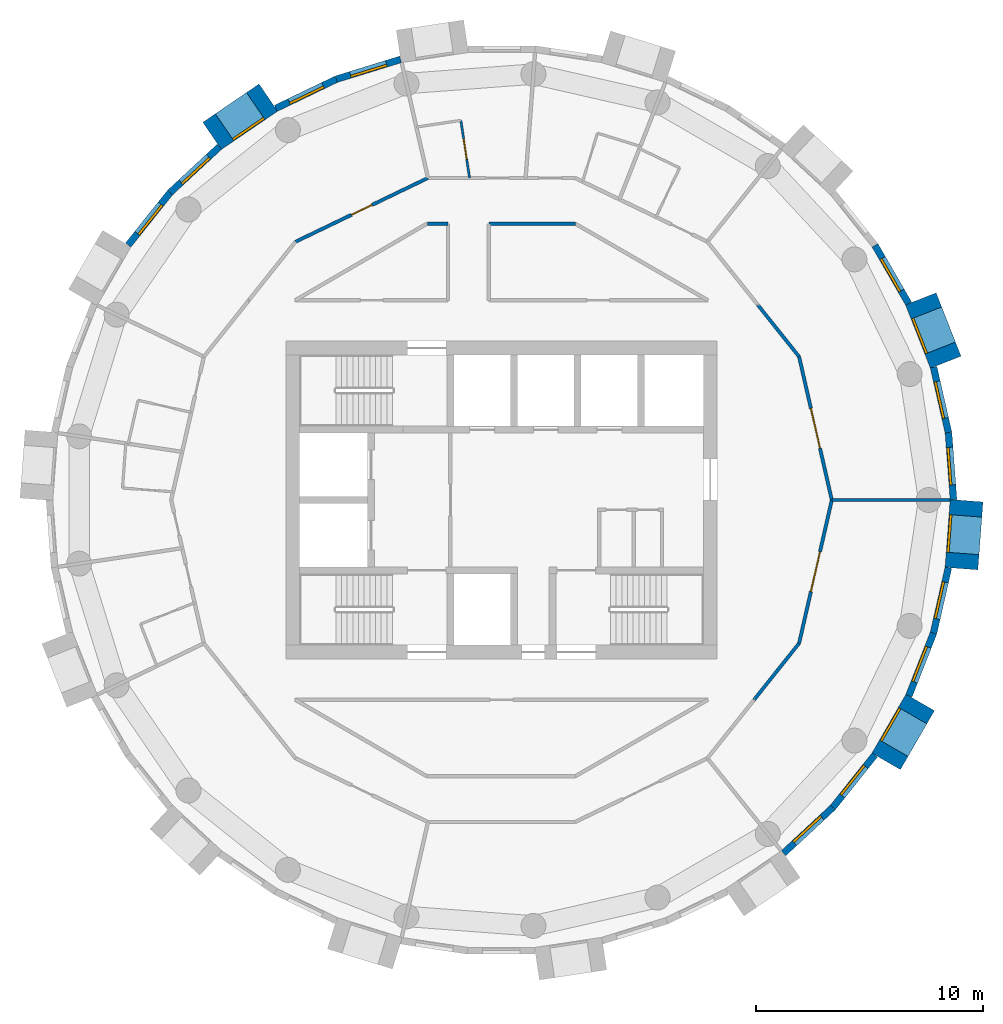
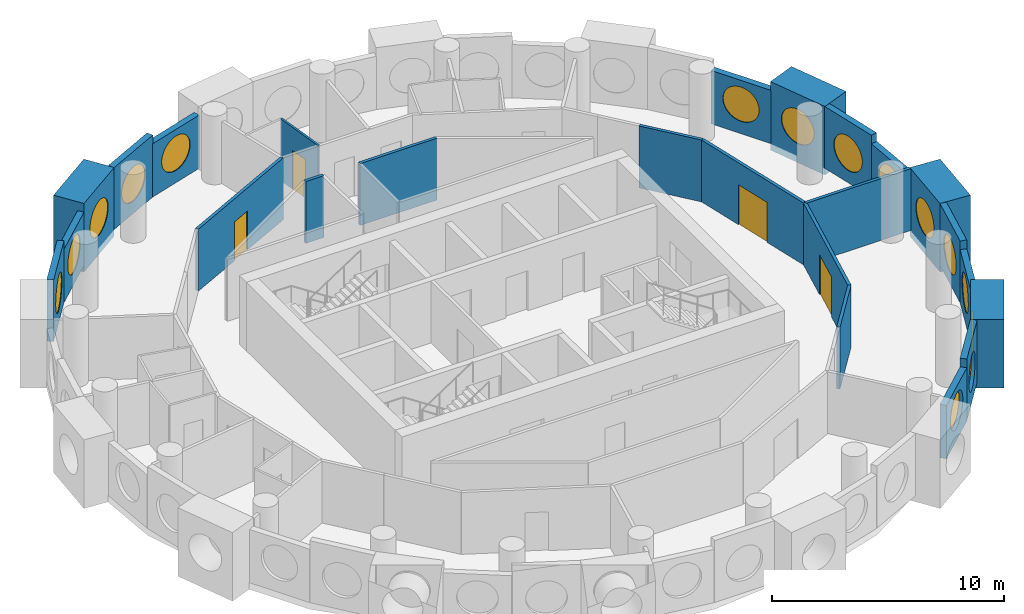
# One storey, part 9 of 12: 24 walls, 15 windows, 4 doors, 19 openings.
"""IFC4 building model written with IfcOpenShell, lengths in metres."""

from ifc_helpers import new_model, si_unit, direction, frame, frame_2d, origin, origin_2d, place, context, subcontext, project, spatial, rectangle, circle, extrude, material, layer, layer_set, type_object, element, fill, save


model = new_model("IFC4")

# Units and contexts
model_context = context("Model", 3, precision=1e-05, world=origin(), true_north=direction((0.0, 1.0)))
body_context = subcontext(model_context, "Body", "Model", "MODEL_VIEW")
ifc_project = project(units=[si_unit("LENGTHUNIT", "METRE"), si_unit("AREAUNIT", "SQUARE_METRE"), si_unit("VOLUMEUNIT", "CUBIC_METRE"), si_unit("PLANEANGLEUNIT", "RADIAN"), si_unit("MASSUNIT", "GRAM", prefix="KILO")], contexts=[model_context])

# Site, building, storey
site_placement = place(None, origin())
site = spatial("IfcSite", under=ifc_project, at=site_placement, CompositionType="ELEMENT")
building_placement = place(site_placement, origin())
building = spatial("IfcBuilding", under=site, at=building_placement, Name="Tracery Tower", CompositionType="ELEMENT")
storey_placement = place(building_placement, frame((0.0, 0.0, 249.0)))
storey = spatial("IfcBuildingStorey", under=building, at=storey_placement, Name="L64", CompositionType="ELEMENT", Elevation=249.0)

# Wall, opening, window
ifc_material_1 = material(Name="Precast concrete C50/60", Category="concrete")
ifc_layer_1 = layer(ifc_material_1, 1.449951171875)
ifc_layer_set_1 = layer_set([ifc_layer_1], Name="Deep-set bay unit 3000 x 3600, slab edge 350")
wall_type_1 = type_object("IfcWallType", Name="Deep-set bay unit 3000 x 3600, slab edge 350", PredefinedType="ELEMENTEDWALL", material=ifc_layer_set_1)
wall_1_placement = place(storey_placement, frame((19.576171875, 6.071533203125, -0.35009765625), z_axis=(0.0, 0.0, 1.0), x_axis=(-0.36537792632, 0.93085926485, 0.0)))
wall_1 = element("IfcWall", 1, at=wall_1_placement, inside=storey, type_object=wall_type_1, Name="Deep-set bay unit 3 at L64", PredefinedType="ELEMENTEDWALL", context=body_context, shape_type="SweptSolid", body=[
    extrude(rectangle(XDim=3.000244140625, YDim=1.449951171875, at=frame_2d((1.5, 0.0))), origin(), (0.0, 0.0, 1.0), 3.60009765625),
])
opening_1_placement = place(wall_1_placement, frame((1.5, 0.0, 1.89990234375)))
opening_1 = element("IfcOpeningElement", 2, at=opening_1_placement, cuts=wall_1, Name="Opening WN1", PredefinedType="OPENING", context=body_context, shape_type="SweptSolid", body=[
    extrude(circle(Radius=0.9000244140625, at=origin_2d()), frame((0.0, 0.73486328125, 0.0), z_axis=(0.0, -1.0, 0.0), x_axis=(1.0, 0.0, 0.0)), (0.0, 0.0, 1.0), 1.469970703125),
])
ifc_material_2 = material(Name="Aluminium frame with tinted double glazing", Category="aluminium")
window_type = type_object("IfcWindowType", Name="Round window 1800", PartitioningType="SINGLE_PANEL", PredefinedType="WINDOW", material=ifc_material_2)
window_1_placement = place(opening_1_placement, origin())
window_1 = element("IfcWindow", 3, at=window_1_placement, inside=storey, type_object=window_type, Name="Round window 3 at L64", OverallHeight=1.800048828125, OverallWidth=1.800048828125, PartitioningType="SINGLE_PANEL", PredefinedType="WINDOW", context=body_context, shape_type="SweptSolid", body=[
    extrude(circle(Radius=0.9000244140625, at=origin_2d()), frame((0.0, 0.69482421875, 0.0), z_axis=(0.0, -1.0, 0.0), x_axis=(1.0, 0.0, 0.0)), (0.0, 0.0, 1.0), 0.10009765625),
])
fill(opening_1, window_1)

wall_2_placement = place(storey_placement, frame((-10.275390625, 17.734130859375, -0.35009765625), z_axis=(0.0, 0.0, 1.0), x_axis=(-0.826246281157, -0.563309047392, 0.0)))
wall_2 = element("IfcWall", 4, at=wall_2_placement, inside=storey, type_object=wall_type_1, Name="Deep-set bay unit 15 at L64", PredefinedType="ELEMENTEDWALL", context=body_context, shape_type="SweptSolid", body=[
    extrude(rectangle(XDim=3.0, YDim=1.449951171875, at=frame_2d((1.5, 0.0))), origin(), (0.0, 0.0, 1.0), 3.60009765625),
])
opening_2_placement = place(wall_2_placement, frame((1.5, 0.0, 1.89990234375)))
opening_2 = element("IfcOpeningElement", 5, at=opening_2_placement, cuts=wall_2, Name="Opening WN1", PredefinedType="OPENING", context=body_context, shape_type="SweptSolid", body=[
    extrude(circle(Radius=0.9000244140625, at=origin_2d()), frame((0.0, 0.73486328125, 0.0), z_axis=(0.0, -1.0, 0.0), x_axis=(1.0, 0.0, 0.0)), (0.0, 0.0, 1.0), 1.469970703125),
])
window_2_placement = place(opening_2_placement, origin())
window_2 = element("IfcWindow", 6, at=window_2_placement, inside=storey, type_object=window_type, Name="Round window 15 at L64", OverallHeight=1.800048828125, OverallWidth=1.800048828125, PartitioningType="SINGLE_PANEL", PredefinedType="WINDOW", context=body_context, shape_type="SweptSolid", body=[
    extrude(circle(Radius=0.9000244140625, at=origin_2d()), frame((0.0, 0.69482421875, 0.0), z_axis=(0.0, -1.0, 0.0), x_axis=(1.0, 0.0, 0.0)), (0.0, 0.0, 1.0), 0.10009765625),
])
fill(opening_2, window_2)

wall_3_placement = place(storey_placement, frame((16.952392578125, -11.51953125, -0.35009765625), z_axis=(0.0, 0.0, 1.0), x_axis=(0.499990139034, 0.866031096941, 0.0)))
wall_3 = element("IfcWall", 7, at=wall_3_placement, inside=storey, type_object=wall_type_1, Name="Deep-set bay unit 39 at L64", PredefinedType="ELEMENTEDWALL", context=body_context, shape_type="SweptSolid", body=[
    extrude(rectangle(XDim=3.0, YDim=1.449951171875, at=frame_2d((1.5, 0.0))), origin(), (0.0, 0.0, 1.0), 3.60009765625),
])
opening_3_placement = place(wall_3_placement, frame((1.5, 0.0, 1.89990234375)))
opening_3 = element("IfcOpeningElement", 8, at=opening_3_placement, cuts=wall_3, Name="Opening WN1", PredefinedType="OPENING", context=body_context, shape_type="SweptSolid", body=[
    extrude(circle(Radius=0.9000244140625, at=origin_2d()), frame((0.0, 0.73486328125, 0.0), z_axis=(0.0, -1.0, 0.0), x_axis=(1.0, 0.0, 0.0)), (0.0, 0.0, 1.0), 1.469970703125),
])
window_3_placement = place(opening_3_placement, origin())
window_3 = element("IfcWindow", 9, at=window_3_placement, inside=storey, type_object=window_type, Name="Round window 39 at L64", OverallHeight=1.800048828125, OverallWidth=1.800048828125, PartitioningType="SINGLE_PANEL", PredefinedType="WINDOW", context=body_context, shape_type="SweptSolid", body=[
    extrude(circle(Radius=0.9000244140625, at=origin_2d()), frame((0.0, 0.69482421875, 0.0), z_axis=(0.0, -1.0, 0.0), x_axis=(1.0, 0.0, 0.0)), (0.0, 0.0, 1.0), 0.10009765625),
])
fill(opening_3, window_3)

wall_4_placement = place(storey_placement, frame((20.271728515625, -3.0234375, -0.35009765625), z_axis=(0.0, 0.0, 1.0), x_axis=(0.074785902127, 0.997199613339, 0.0)))
wall_4 = element("IfcWall", 10, at=wall_4_placement, inside=storey, type_object=wall_type_1, Name="Deep-set bay unit 42 at L64", PredefinedType="ELEMENTEDWALL", context=body_context, shape_type="SweptSolid", body=[
    extrude(rectangle(XDim=3.0, YDim=1.449951171875, at=frame_2d((1.5, 0.0))), origin(), (0.0, 0.0, 1.0), 3.60009765625),
])
opening_4_placement = place(wall_4_placement, frame((1.5, 0.0, 1.89990234375)))
opening_4 = element("IfcOpeningElement", 11, at=opening_4_placement, cuts=wall_4, Name="Opening WN1", PredefinedType="OPENING", context=body_context, shape_type="SweptSolid", body=[
    extrude(circle(Radius=0.9000244140625, at=origin_2d()), frame((0.0, 0.73486328125, 0.0), z_axis=(0.0, -1.0, 0.0), x_axis=(1.0, 0.0, 0.0)), (0.0, 0.0, 1.0), 1.469970703125),
])
window_4_placement = place(opening_4_placement, origin())
window_4 = element("IfcWindow", 12, at=window_4_placement, inside=storey, type_object=window_type, Name="Round window 42 at L64", OverallHeight=1.800048828125, OverallWidth=1.800048828125, PartitioningType="SINGLE_PANEL", PredefinedType="WINDOW", context=body_context, shape_type="SweptSolid", body=[
    extrude(circle(Radius=0.9000244140625, at=origin_2d()), frame((0.0, 0.69482421875, 0.0), z_axis=(0.0, -1.0, 0.0), x_axis=(1.0, 0.0, 0.0)), (0.0, 0.0, 1.0), 0.10009765625),
])
fill(opening_4, window_4)

ifc_material_3 = material(Name="Precast concrete C50/60", Category="concrete")
ifc_layer_2 = layer(ifc_material_3, 0.300048828125)
ifc_layer_set_2 = layer_set([ifc_layer_2], Name="Facade panel 3000 x 2800")
wall_type_2 = type_object("IfcWallType", Name="Facade panel 3000 x 2800", PredefinedType="SOLIDWALL", material=ifc_layer_set_2)
wall_5_placement = place(storey_placement, frame((19.920654296875, 0.01513671875, 0.0), z_axis=(0.0, 0.0, 1.0), x_axis=(-0.07474897196, 0.997202382263, 0.0)))
wall_5 = element("IfcWall", 13, at=wall_5_placement, inside=storey, type_object=wall_type_2, Name="Facade panel 1 at L64", PredefinedType="SOLIDWALL", context=body_context, shape_type="SweptSolid", body=[
    extrude(rectangle(XDim=2.96240234375, YDim=0.300048828125, at=frame_2d((1.481201171875, 0.0))), origin(), (0.0, 0.0, 1.0), 2.800048828125),
])
opening_5_placement = place(wall_5_placement, frame((1.48095703125, 0.0, 1.5498046875)))
opening_5 = element("IfcOpeningElement", 14, at=opening_5_placement, cuts=wall_5, Name="Opening WN1", PredefinedType="OPENING", context=body_context, shape_type="SweptSolid", body=[
    extrude(circle(Radius=0.9000244140625, at=origin_2d()), frame((0.0, 0.159912109375, 0.0), z_axis=(0.0, -1.0, 0.0), x_axis=(1.0, 0.0, 0.0)), (0.0, 0.0, 1.0), 0.320068359375),
])
window_5_placement = place(opening_5_placement, origin())
window_5 = element("IfcWindow", 15, at=window_5_placement, inside=storey, type_object=window_type, Name="Round window 1 at L64", OverallHeight=1.800048828125, OverallWidth=1.800048828125, PartitioningType="SINGLE_PANEL", PredefinedType="WINDOW", context=body_context, shape_type="SweptSolid", body=[
    extrude(circle(Radius=0.9000244140625, at=origin_2d()), frame((0.0, 0.1201171875, 0.0), z_axis=(0.0, -1.0, 0.0), x_axis=(1.0, 0.0, 0.0)), (0.0, 0.0, 1.0), 0.10009765625),
])
fill(opening_5, window_5)

wall_6_placement = place(storey_placement, frame((17.941162109375, 8.656982421875, 0.0), z_axis=(0.0, 0.0, 1.0), x_axis=(-0.499950756475, 0.86605383268, 0.0)))
wall_6 = element("IfcWall", 16, at=wall_6_placement, inside=storey, type_object=wall_type_2, Name="Facade panel 4 at L64", PredefinedType="SOLIDWALL", context=body_context, shape_type="SweptSolid", body=[
    extrude(rectangle(XDim=2.962158203125, YDim=0.300048828125, at=frame_2d((1.48095703125, 0.0))), origin(), (0.0, 0.0, 1.0), 2.800048828125),
])
opening_6_placement = place(wall_6_placement, frame((1.48095703125, 0.0, 1.5498046875)))
opening_6 = element("IfcOpeningElement", 17, at=opening_6_placement, cuts=wall_6, Name="Opening WN1", PredefinedType="OPENING", context=body_context, shape_type="SweptSolid", body=[
    extrude(circle(Radius=0.9000244140625, at=origin_2d()), frame((0.0, 0.159912109375, 0.0), z_axis=(0.0, -1.0, 0.0), x_axis=(1.0, 0.0, 0.0)), (0.0, 0.0, 1.0), 0.320068359375),
])
window_6_placement = place(opening_6_placement, origin())
window_6 = element("IfcWindow", 18, at=window_6_placement, inside=storey, type_object=window_type, Name="Round window 4 at L64", OverallHeight=1.800048828125, OverallWidth=1.800048828125, PartitioningType="SINGLE_PANEL", PredefinedType="WINDOW", context=body_context, shape_type="SweptSolid", body=[
    extrude(circle(Radius=0.9000244140625, at=origin_2d()), frame((0.0, 0.1201171875, 0.0), z_axis=(0.0, -1.0, 0.0), x_axis=(1.0, 0.0, 0.0)), (0.0, 0.0, 1.0), 0.10009765625),
])
fill(opening_6, window_6)

wall_7_placement = place(storey_placement, frame((-4.447509765625, 19.417724609375, 0.0), z_axis=(0.0, 0.0, 1.0), x_axis=(-0.95558635705, -0.294711238707, 0.0)))
wall_7 = element("IfcWall", 19, at=wall_7_placement, inside=storey, type_object=wall_type_2, Name="Facade panel 13 at L64", PredefinedType="SOLIDWALL", context=body_context, shape_type="SweptSolid", body=[
    extrude(rectangle(XDim=2.96240234375, YDim=0.300048828125, at=frame_2d((1.481201171875, 0.0))), origin(), (0.0, 0.0, 1.0), 2.800048828125),
])
opening_7_placement = place(wall_7_placement, frame((1.48095703125, 0.0, 1.5498046875)))
opening_7 = element("IfcOpeningElement", 20, at=opening_7_placement, cuts=wall_7, Name="Opening WN1", PredefinedType="OPENING", context=body_context, shape_type="SweptSolid", body=[
    extrude(circle(Radius=0.9000244140625, at=origin_2d()), frame((0.0, 0.159912109375, 0.0), z_axis=(0.0, -1.0, 0.0), x_axis=(1.0, 0.0, 0.0)), (0.0, 0.0, 1.0), 0.320068359375),
])
window_7_placement = place(opening_7_placement, origin())
window_7 = element("IfcWindow", 21, at=window_7_placement, inside=storey, type_object=window_type, Name="Round window 13 at L64", OverallHeight=1.800048828125, OverallWidth=1.800048828125, PartitioningType="SINGLE_PANEL", PredefinedType="WINDOW", context=body_context, shape_type="SweptSolid", body=[
    extrude(circle(Radius=0.9000244140625, at=origin_2d()), frame((0.0, 0.1201171875, 0.0), z_axis=(0.0, -1.0, 0.0), x_axis=(1.0, 0.0, 0.0)), (0.0, 0.0, 1.0), 0.10009765625),
])
fill(opening_7, window_7)

wall_8_placement = place(storey_placement, frame((-12.43212890625, 15.565185546875, 0.0), z_axis=(0.0, 0.0, 1.0), x_axis=(-0.733066412643, -0.680157066165, 0.0)))
wall_8 = element("IfcWall", 22, at=wall_8_placement, inside=storey, type_object=wall_type_2, Name="Facade panel 16 at L64", PredefinedType="SOLIDWALL", context=body_context, shape_type="SweptSolid", body=[
    extrude(rectangle(XDim=2.96240234375, YDim=0.300048828125, at=frame_2d((1.481201171875, 0.0))), origin(), (0.0, 0.0, 1.0), 2.800048828125),
])
opening_8_placement = place(wall_8_placement, frame((1.48095703125, 0.0, 1.5498046875)))
opening_8 = element("IfcOpeningElement", 23, at=opening_8_placement, cuts=wall_8, Name="Opening WN1", PredefinedType="OPENING", context=body_context, shape_type="SweptSolid", body=[
    extrude(circle(Radius=0.9000244140625, at=origin_2d()), frame((0.0, 0.159912109375, 0.0), z_axis=(0.0, -1.0, 0.0), x_axis=(1.0, 0.0, 0.0)), (0.0, 0.0, 1.0), 0.320068359375),
])
window_8_placement = place(opening_8_placement, origin())
window_8 = element("IfcWindow", 24, at=window_8_placement, inside=storey, type_object=window_type, Name="Round window 16 at L64", OverallHeight=1.800048828125, OverallWidth=1.800048828125, PartitioningType="SINGLE_PANEL", PredefinedType="WINDOW", context=body_context, shape_type="SweptSolid", body=[
    extrude(circle(Radius=0.9000244140625, at=origin_2d()), frame((0.0, 0.1201171875, 0.0), z_axis=(0.0, -1.0, 0.0), x_axis=(1.0, 0.0, 0.0)), (0.0, 0.0, 1.0), 0.10009765625),
])
fill(opening_8, window_8)

wall_9_placement = place(storey_placement, frame((12.43212890625, -15.565185546875, 0.0), z_axis=(0.0, 0.0, 1.0), x_axis=(0.733066412643, 0.680157066165, 0.0)))
wall_9 = element("IfcWall", 25, at=wall_9_placement, inside=storey, type_object=wall_type_2, Name="Facade panel 37 at L64", PredefinedType="SOLIDWALL", context=body_context, shape_type="SweptSolid", body=[
    extrude(rectangle(XDim=2.96240234375, YDim=0.300048828125, at=frame_2d((1.481201171875, 0.0))), origin(), (0.0, 0.0, 1.0), 2.800048828125),
])
opening_9_placement = place(wall_9_placement, frame((1.48095703125, 0.0, 1.5498046875)))
opening_9 = element("IfcOpeningElement", 26, at=opening_9_placement, cuts=wall_9, Name="Opening WN1", PredefinedType="OPENING", context=body_context, shape_type="SweptSolid", body=[
    extrude(circle(Radius=0.9000244140625, at=origin_2d()), frame((0.0, 0.159912109375, 0.0), z_axis=(0.0, -1.0, 0.0), x_axis=(1.0, 0.0, 0.0)), (0.0, 0.0, 1.0), 0.320068359375),
])
window_9_placement = place(opening_9_placement, origin())
window_9 = element("IfcWindow", 27, at=window_9_placement, inside=storey, type_object=window_type, Name="Round window 37 at L64", OverallHeight=1.800048828125, OverallWidth=1.800048828125, PartitioningType="SINGLE_PANEL", PredefinedType="WINDOW", context=body_context, shape_type="SweptSolid", body=[
    extrude(circle(Radius=0.9000244140625, at=origin_2d()), frame((0.0, 0.1201171875, 0.0), z_axis=(0.0, -1.0, 0.0), x_axis=(1.0, 0.0, 0.0)), (0.0, 0.0, 1.0), 0.10009765625),
])
fill(opening_9, window_9)

wall_10_placement = place(storey_placement, frame((17.95458984375, -8.62939453125, 0.0), z_axis=(0.0, 0.0, 1.0), x_axis=(0.36530043032, 0.930889679612, 0.0)))
wall_10 = element("IfcWall", 28, at=wall_10_placement, inside=storey, type_object=wall_type_2, Name="Facade panel 40 at L64", PredefinedType="SOLIDWALL", context=body_context, shape_type="SweptSolid", body=[
    extrude(rectangle(XDim=2.9619140625, YDim=0.300048828125, at=frame_2d((1.48095703125, 0.0))), origin(), (0.0, 0.0, 1.0), 2.800048828125),
])
opening_10_placement = place(wall_10_placement, frame((1.48095703125, 0.0, 1.5498046875)))
opening_10 = element("IfcOpeningElement", 29, at=opening_10_placement, cuts=wall_10, Name="Opening WN1", PredefinedType="OPENING", context=body_context, shape_type="SweptSolid", body=[
    extrude(circle(Radius=0.9000244140625, at=origin_2d()), frame((0.0, 0.159912109375, 0.0), z_axis=(0.0, -1.0, 0.0), x_axis=(1.0, 0.0, 0.0)), (0.0, 0.0, 1.0), 0.320068359375),
])
window_10_placement = place(opening_10_placement, origin())
window_10 = element("IfcWindow", 30, at=window_10_placement, inside=storey, type_object=window_type, Name="Round window 40 at L64", OverallHeight=1.800048828125, OverallWidth=1.800048828125, PartitioningType="SINGLE_PANEL", PredefinedType="WINDOW", context=body_context, shape_type="SweptSolid", body=[
    extrude(circle(Radius=0.9000244140625, at=origin_2d()), frame((0.0, 0.1201171875, 0.0), z_axis=(0.0, -1.0, 0.0), x_axis=(1.0, 0.0, 0.0)), (0.0, 0.0, 1.0), 0.10009765625),
])
fill(opening_10, window_10)

ifc_material_4 = material(Name="Precast concrete C50/60", Category="concrete")
ifc_layer_3 = layer(ifc_material_4, 0.300048828125)
ifc_layer_set_3 = layer_set([ifc_layer_3], Name="Facade panel 3000 x 3250")
wall_type_3 = type_object("IfcWallType", Name="Facade panel 3000 x 3250", PredefinedType="SOLIDWALL", material=ifc_layer_set_3)
wall_11_placement = place(storey_placement, frame((19.69921875, 2.96923828125, 0.0), z_axis=(0.0, 0.0, 1.0), x_axis=(-0.222529389789, 0.974925982155, 0.0)))
wall_11 = element("IfcWall", 31, at=wall_11_placement, inside=storey, type_object=wall_type_3, Name="Facade panel 2 at L64", PredefinedType="SOLIDWALL", context=body_context, shape_type="SweptSolid", body=[
    extrude(rectangle(XDim=2.962158203125, YDim=0.300048828125, at=frame_2d((1.48095703125, 0.0))), origin(), (0.0, 0.0, 1.0), 3.25),
])
opening_11_placement = place(wall_11_placement, frame((1.48095703125, 0.0, 1.5498046875)))
opening_11 = element("IfcOpeningElement", 32, at=opening_11_placement, cuts=wall_11, Name="Opening WN1", PredefinedType="OPENING", context=body_context, shape_type="SweptSolid", body=[
    extrude(circle(Radius=0.9000244140625, at=origin_2d()), frame((0.0, 0.159912109375, 0.0), z_axis=(0.0, -1.0, 0.0), x_axis=(1.0, 0.0, 0.0)), (0.0, 0.0, 1.0), 0.320068359375),
])
window_11_placement = place(opening_11_placement, origin())
window_11 = element("IfcWindow", 33, at=window_11_placement, inside=storey, type_object=window_type, Name="Round window 2 at L64", OverallHeight=1.800048828125, OverallWidth=1.800048828125, PartitioningType="SINGLE_PANEL", PredefinedType="WINDOW", context=body_context, shape_type="SweptSolid", body=[
    extrude(circle(Radius=0.9000244140625, at=origin_2d()), frame((0.0, 0.1201171875, 0.0), z_axis=(0.0, -1.0, 0.0), x_axis=(1.0, 0.0, 0.0)), (0.0, 0.0, 1.0), 0.10009765625),
])
fill(opening_11, window_11)

wall_12_placement = place(storey_placement, frame((-7.2783203125, 18.544677734375, 0.0), z_axis=(0.0, 0.0, 1.0), x_axis=(-0.900939615635, -0.433944476838, 0.0)))
wall_12 = element("IfcWall", 34, at=wall_12_placement, inside=storey, type_object=wall_type_3, Name="Facade panel 14 at L64", PredefinedType="SOLIDWALL", context=body_context, shape_type="SweptSolid", body=[
    extrude(rectangle(XDim=2.962158203125, YDim=0.300048828125, at=frame_2d((1.48095703125, 0.0))), origin(), (0.0, 0.0, 1.0), 3.25),
])
opening_12_placement = place(wall_12_placement, frame((1.48095703125, 0.0, 1.5498046875)))
opening_12 = element("IfcOpeningElement", 35, at=opening_12_placement, cuts=wall_12, Name="Opening WN1", PredefinedType="OPENING", context=body_context, shape_type="SweptSolid", body=[
    extrude(circle(Radius=0.9000244140625, at=origin_2d()), frame((0.0, 0.159912109375, 0.0), z_axis=(0.0, -1.0, 0.0), x_axis=(1.0, 0.0, 0.0)), (0.0, 0.0, 1.0), 0.320068359375),
])
window_12_placement = place(opening_12_placement, origin())
window_12 = element("IfcWindow", 36, at=window_12_placement, inside=storey, type_object=window_type, Name="Round window 14 at L64", OverallHeight=1.800048828125, OverallWidth=1.800048828125, PartitioningType="SINGLE_PANEL", PredefinedType="WINDOW", context=body_context, shape_type="SweptSolid", body=[
    extrude(circle(Radius=0.9000244140625, at=origin_2d()), frame((0.0, 0.1201171875, 0.0), z_axis=(0.0, -1.0, 0.0), x_axis=(1.0, 0.0, 0.0)), (0.0, 0.0, 1.0), 0.10009765625),
])
fill(opening_12, window_12)

wall_13_placement = place(storey_placement, frame((-14.603759765625, 13.55029296875, 0.0), z_axis=(0.0, 0.0, 1.0), x_axis=(-0.623498236992, -0.781824755599, 0.0)))
wall_13 = element("IfcWall", 37, at=wall_13_placement, inside=storey, type_object=wall_type_3, Name="Facade panel 17 at L64", PredefinedType="SOLIDWALL", context=body_context, shape_type="SweptSolid", body=[
    extrude(rectangle(XDim=2.962158203125, YDim=0.300048828125, at=frame_2d((1.48095703125, 0.0))), origin(), (0.0, 0.0, 1.0), 3.25),
])
opening_13_placement = place(wall_13_placement, frame((1.48095703125, 0.0, 1.5498046875)))
opening_13 = element("IfcOpeningElement", 38, at=opening_13_placement, cuts=wall_13, Name="Opening WN1", PredefinedType="OPENING", context=body_context, shape_type="SweptSolid", body=[
    extrude(circle(Radius=0.9000244140625, at=origin_2d()), frame((0.0, 0.159912109375, 0.0), z_axis=(0.0, -1.0, 0.0), x_axis=(1.0, 0.0, 0.0)), (0.0, 0.0, 1.0), 0.320068359375),
])
window_13_placement = place(opening_13_placement, origin())
window_13 = element("IfcWindow", 39, at=window_13_placement, inside=storey, type_object=window_type, Name="Round window 17 at L64", OverallHeight=1.800048828125, OverallWidth=1.800048828125, PartitioningType="SINGLE_PANEL", PredefinedType="WINDOW", context=body_context, shape_type="SweptSolid", body=[
    extrude(circle(Radius=0.9000244140625, at=origin_2d()), frame((0.0, 0.1201171875, 0.0), z_axis=(0.0, -1.0, 0.0), x_axis=(1.0, 0.0, 0.0)), (0.0, 0.0, 1.0), 0.10009765625),
])
fill(opening_13, window_13)

wall_14_placement = place(storey_placement, frame((14.603759765625, -13.55029296875, 0.0), z_axis=(0.0, 0.0, 1.0), x_axis=(0.623498236992, 0.781824755599, 0.0)))
wall_14 = element("IfcWall", 40, at=wall_14_placement, inside=storey, type_object=wall_type_3, Name="Facade panel 38 at L64", PredefinedType="SOLIDWALL", context=body_context, shape_type="SweptSolid", body=[
    extrude(rectangle(XDim=2.962158203125, YDim=0.300048828125, at=frame_2d((1.48095703125, 0.0))), origin(), (0.0, 0.0, 1.0), 3.25),
])
opening_14_placement = place(wall_14_placement, frame((1.48095703125, 0.0, 1.5498046875)))
opening_14 = element("IfcOpeningElement", 41, at=opening_14_placement, cuts=wall_14, Name="Opening WN1", PredefinedType="OPENING", context=body_context, shape_type="SweptSolid", body=[
    extrude(circle(Radius=0.9000244140625, at=origin_2d()), frame((0.0, 0.159912109375, 0.0), z_axis=(0.0, -1.0, 0.0), x_axis=(1.0, 0.0, 0.0)), (0.0, 0.0, 1.0), 0.320068359375),
])
window_14_placement = place(opening_14_placement, origin())
window_14 = element("IfcWindow", 42, at=window_14_placement, inside=storey, type_object=window_type, Name="Round window 38 at L64", OverallHeight=1.800048828125, OverallWidth=1.800048828125, PartitioningType="SINGLE_PANEL", PredefinedType="WINDOW", context=body_context, shape_type="SweptSolid", body=[
    extrude(circle(Radius=0.9000244140625, at=origin_2d()), frame((0.0, 0.1201171875, 0.0), z_axis=(0.0, -1.0, 0.0), x_axis=(1.0, 0.0, 0.0)), (0.0, 0.0, 1.0), 0.10009765625),
])
fill(opening_14, window_14)

wall_15_placement = place(storey_placement, frame((19.03662109375, -5.8720703125, 0.0), z_axis=(0.0, 0.0, 1.0), x_axis=(0.222529389789, 0.974925982155, 0.0)))
wall_15 = element("IfcWall", 43, at=wall_15_placement, inside=storey, type_object=wall_type_3, Name="Facade panel 41 at L64", PredefinedType="SOLIDWALL", context=body_context, shape_type="SweptSolid", body=[
    extrude(rectangle(XDim=2.962158203125, YDim=0.300048828125, at=frame_2d((1.48095703125, 0.0))), origin(), (0.0, 0.0, 1.0), 3.25),
])
opening_15_placement = place(wall_15_placement, frame((1.48095703125, 0.0, 1.5498046875)))
opening_15 = element("IfcOpeningElement", 44, at=opening_15_placement, cuts=wall_15, Name="Opening WN1", PredefinedType="OPENING", context=body_context, shape_type="SweptSolid", body=[
    extrude(circle(Radius=0.9000244140625, at=origin_2d()), frame((0.0, 0.159912109375, 0.0), z_axis=(0.0, -1.0, 0.0), x_axis=(1.0, 0.0, 0.0)), (0.0, 0.0, 1.0), 0.320068359375),
])
window_15_placement = place(opening_15_placement, origin())
window_15 = element("IfcWindow", 45, at=window_15_placement, inside=storey, type_object=window_type, Name="Round window 41 at L64", OverallHeight=1.800048828125, OverallWidth=1.800048828125, PartitioningType="SINGLE_PANEL", PredefinedType="WINDOW", context=body_context, shape_type="SweptSolid", body=[
    extrude(circle(Radius=0.9000244140625, at=origin_2d()), frame((0.0, 0.1201171875, 0.0), z_axis=(0.0, -1.0, 0.0), x_axis=(1.0, 0.0, 0.0)), (0.0, 0.0, 1.0), 0.10009765625),
])
fill(opening_15, window_15)

# Wall, opening, door
ifc_material_5 = material(Name="Plasterboard on steel studs", Category="steel")
ifc_layer_4 = layer(ifc_material_5, 0.10009765625)
ifc_layer_set_4 = layer_set([ifc_layer_4], Name="Partition 100 wet wall")
wall_type_4 = type_object("IfcWallType", Name="Partition 100 wet wall", PredefinedType="PARTITIONING", material=ifc_layer_set_4)
wall_16_placement = place(storey_placement, frame((-1.791015625, 16.72900390625, 0.0), z_axis=(0.0, 0.0, 1.0), x_axis=(0.149289553133, -0.988793522089, 0.0)))
wall_16 = element("IfcWall", 46, at=wall_16_placement, inside=storey, type_object=wall_type_4, Name="Wet wall RC2-052", PredefinedType="PARTITIONING", context=body_context, shape_type="SweptSolid", body=[
    extrude(rectangle(XDim=2.56591796875, YDim=0.10009765625, at=frame_2d((1.282958984375, 0.0))), origin(), (0.0, 0.0, 1.0), 3.25),
])
opening_16_placement = place(wall_16_placement, frame((0.832763671875, 0.0, 0.0)))
opening_16 = element("IfcOpeningElement", 47, at=opening_16_placement, cuts=wall_16, Name="Opening RC2-09", PredefinedType="OPENING", context=body_context, shape_type="SweptSolid", body=[
    extrude(rectangle(XDim=0.89990234375, YDim=2.0400390625, at=frame_2d((0.449951171875, 1.02001953125))), frame((0.0, 0.050048828125, 0.0), z_axis=(0.0, -1.0, 0.0), x_axis=(1.0, 0.0, 0.0)), (0.0, 0.0, 1.0), 0.10009765625),
])
ifc_material_6 = material(Name="Timber door leaf", Category="wood")
door_type_1 = type_object("IfcDoorType", Name="Door en-suite 900", OperationType="NOTDEFINED", PredefinedType="DOOR", material=ifc_material_6)
door_1_placement = place(opening_16_placement, origin())
door_1 = element("IfcDoor", 48, at=door_1_placement, inside=storey, type_object=door_type_1, Name="En-suite door RC2-09", OperationType="SINGLE_SWING_RIGHT", OverallHeight=2.0400390625, OverallWidth=0.89990234375, PredefinedType="DOOR", context=body_context, shape_type="SweptSolid", body=[
    extrude(rectangle(XDim=0.89990234375, YDim=2.0400390625, at=frame_2d((0.449951171875, 1.02001953125))), frame((0.0, 0.02490234375, 0.0), z_axis=(0.0, -1.0, 0.0), x_axis=(1.0, 0.0, 0.0)), (0.0, 0.0, 1.0), 0.050048828125),
])
fill(opening_16, door_1)

# Walls
ifc_material_7 = material(Name="Plasterboard on steel studs", Category="steel")
ifc_layer_5 = layer(ifc_material_7, 0.14990234375)
ifc_layer_set_5 = layer_set([ifc_layer_5], Name="Partition 150 acoustic unit wall")
wall_type_5 = type_object("IfcWallType", Name="Partition 150 acoustic unit wall", PredefinedType="PARTITIONING", material=ifc_layer_set_5)
wall_17_placement = place(storey_placement, frame((14.556884765625, 0.0, 0.0), z_axis=(0.0, 0.0, 1.0), x_axis=(1.0, 0.0, 0.0)))
element("IfcWall", 49, at=wall_17_placement, inside=storey, type_object=wall_type_5, Name="Unit wall RC2-044", PredefinedType="PARTITIONING", context=body_context, shape_type="SweptSolid", body=[
    extrude(rectangle(XDim=5.214111328125, YDim=0.14990234375, at=frame_2d((2.60693359375, 0.0))), origin(), (0.0, 0.0, 1.0), 3.25),
])
ifc_material_8 = material(Name="Plasterboard on steel studs", Category="steel")
ifc_layer_6 = layer(ifc_material_8, 0.14990234375)
ifc_layer_set_6 = layer_set([ifc_layer_6], Name="Partition 150 corridor wall")
wall_type_6 = type_object("IfcWallType", Name="Partition 150 corridor wall", PredefinedType="PARTITIONING", material=ifc_layer_set_6)
wall_18_placement = place(storey_placement, frame((11.300048828125, 8.592041015625, 0.0), z_axis=(0.0, 0.0, 1.0), x_axis=(0.623446514299, -0.781866001185, 0.0)))
element("IfcWall", 50, at=wall_18_placement, inside=storey, type_object=wall_type_6, Name="Corridor wall RC2-020", PredefinedType="PARTITIONING", context=body_context, shape_type="SweptSolid", body=[
    extrude(rectangle(XDim=2.9111328125, YDim=0.14990234375, at=frame_2d((1.45556640625, 0.0))), origin(), (0.0, 0.0, 1.0), 3.25),
])

# Wall, opening, door
wall_19_placement = place(storey_placement, frame((13.114990234375, 6.31591796875, 0.0), z_axis=(0.0, 0.0, 1.0), x_axis=(0.222568978642, -0.97491694505, 0.0)))
wall_19 = element("IfcWall", 51, at=wall_19_placement, inside=storey, type_object=wall_type_6, Name="Corridor wall RC2-021", PredefinedType="PARTITIONING", context=body_context, shape_type="SweptSolid", body=[
    extrude(rectangle(XDim=6.478515625, YDim=0.14990234375, at=frame_2d((3.2392578125, 0.0))), origin(), (0.0, 0.0, 1.0), 3.25),
])
opening_17_placement = place(wall_19_placement, frame((2.339111328125, 0.0, 0.0)))
opening_17 = element("IfcOpeningElement", 52, at=opening_17_placement, cuts=wall_19, Name="Opening RC2-04", PredefinedType="OPENING", context=body_context, shape_type="SweptSolid", body=[
    extrude(rectangle(XDim=1.800048828125, YDim=2.10009765625, at=frame_2d((0.89990234375, 1.050048828125))), frame((0.0, 0.074951171875, 0.0), z_axis=(0.0, -1.0, 0.0), x_axis=(1.0, 0.0, 0.0)), (0.0, 0.0, 1.0), 0.14990234375),
])
ifc_material_9 = material(Name="Timber door leaf", Category="wood")
door_type_2 = type_object("IfcDoorType", Name="Door double lounge 1800", OperationType="NOTDEFINED", PredefinedType="DOOR", material=ifc_material_9)
door_2_placement = place(opening_17_placement, origin())
door_2 = element("IfcDoor", 53, at=door_2_placement, inside=storey, type_object=door_type_2, Name="Double lounge door RC2-04", OperationType="DOUBLE_DOOR_SINGLE_SWING", OverallHeight=2.10009765625, OverallWidth=1.800048828125, PredefinedType="DOOR", context=body_context, shape_type="SweptSolid", body=[
    extrude(rectangle(XDim=1.800048828125, YDim=2.10009765625, at=frame_2d((0.89990234375, 1.050048828125))), frame((0.0, 0.02490234375, 0.0), z_axis=(0.0, -1.0, 0.0), x_axis=(1.0, 0.0, 0.0)), (0.0, 0.0, 1.0), 0.050048828125),
])
fill(opening_17, door_2)

wall_20_placement = place(storey_placement, frame((13.114990234375, -6.31591796875, 0.0), z_axis=(0.0, 0.0, 1.0), x_axis=(0.222568978642, 0.97491694505, 0.0)))
wall_20 = element("IfcWall", 54, at=wall_20_placement, inside=storey, type_object=wall_type_6, Name="Corridor wall RC2-022", PredefinedType="PARTITIONING", context=body_context, shape_type="SweptSolid", body=[
    extrude(rectangle(XDim=6.478515625, YDim=0.14990234375, at=frame_2d((3.2392578125, 0.0))), origin(), (0.0, 0.0, 1.0), 3.25),
])
opening_18_placement = place(wall_20_placement, frame((2.339599609375, 0.0, 0.0)))
opening_18 = element("IfcOpeningElement", 55, at=opening_18_placement, cuts=wall_20, Name="Opening RC2-20", PredefinedType="OPENING", context=body_context, shape_type="SweptSolid", body=[
    extrude(rectangle(XDim=1.800048828125, YDim=2.10009765625, at=frame_2d((0.89990234375, 1.050048828125))), frame((0.0, 0.074951171875, 0.0), z_axis=(0.0, -1.0, 0.0), x_axis=(1.0, 0.0, 0.0)), (0.0, 0.0, 1.0), 0.14990234375),
])
door_3_placement = place(opening_18_placement, origin())
door_3 = element("IfcDoor", 56, at=door_3_placement, inside=storey, type_object=door_type_2, Name="Double lounge door RC2-20", OperationType="DOUBLE_DOOR_SINGLE_SWING", OverallHeight=2.10009765625, OverallWidth=1.800048828125, PredefinedType="DOOR", context=body_context, shape_type="SweptSolid", body=[
    extrude(rectangle(XDim=1.800048828125, YDim=2.10009765625, at=frame_2d((0.89990234375, 1.050048828125))), frame((0.0, 0.02490234375, 0.0), z_axis=(0.0, -1.0, 0.0), x_axis=(1.0, 0.0, 0.0)), (0.0, 0.0, 1.0), 0.050048828125),
])
fill(opening_18, door_3)

# Walls
wall_21_placement = place(storey_placement, frame((11.134033203125, -8.800048828125, 0.0), z_axis=(0.0, 0.0, 1.0), x_axis=(0.623476099415, 0.781842409606, 0.0)))
element("IfcWall", 57, at=wall_21_placement, inside=storey, type_object=wall_type_6, Name="Corridor wall RC2-023", PredefinedType="PARTITIONING", context=body_context, shape_type="SweptSolid", body=[
    extrude(rectangle(XDim=3.17724609375, YDim=0.14990234375, at=frame_2d((1.588623046875, 0.0))), origin(), (0.0, 0.0, 1.0), 3.25),
])
wall_22_placement = place(storey_placement, frame((-3.260986328125, 12.1708984375, 0.0), z_axis=(0.0, 0.0, 1.0), x_axis=(1.0, 0.0, 0.0)))
element("IfcWall", 58, at=wall_22_placement, inside=storey, type_object=wall_type_6, Name="Corridor wall RC2-025", PredefinedType="PARTITIONING", context=body_context, shape_type="SweptSolid", body=[
    extrude(rectangle(XDim=0.905029296875, YDim=0.14990234375, at=frame_2d((0.45263671875, 0.0))), origin(), (0.0, 0.0, 1.0), 3.25),
])
wall_23_placement = place(storey_placement, frame((-0.555908203125, 12.1708984375, 0.0), z_axis=(0.0, 0.0, 1.0), x_axis=(1.0, 0.0, 0.0)))
element("IfcWall", 59, at=wall_23_placement, inside=storey, type_object=wall_type_6, Name="Corridor wall RC2-027", PredefinedType="PARTITIONING", context=body_context, shape_type="SweptSolid", body=[
    extrude(rectangle(XDim=3.81689453125, YDim=0.14990234375, at=frame_2d((1.908447265625, 0.0))), origin(), (0.0, 0.0, 1.0), 3.25),
])

# Wall, opening, door
wall_24_placement = place(storey_placement, frame((-9.075927734375, 11.381103515625, 0.0), z_axis=(0.0, 0.0, 1.0), x_axis=(0.900976027191, 0.433868872388, 0.0)))
wall_24 = element("IfcWall", 60, at=wall_24_placement, inside=storey, type_object=wall_type_6, Name="Corridor wall RC2-032", PredefinedType="PARTITIONING", context=body_context, shape_type="SweptSolid", body=[
    extrude(rectangle(XDim=6.478515625, YDim=0.14990234375, at=frame_2d((3.2392578125, 0.0))), origin(), (0.0, 0.0, 1.0), 3.25),
])
opening_19_placement = place(wall_24_placement, frame((2.739013671875, 0.0, 0.0)))
opening_19 = element("IfcOpeningElement", 61, at=opening_19_placement, cuts=wall_24, Name="Opening RC2-11", PredefinedType="OPENING", context=body_context, shape_type="SweptSolid", body=[
    extrude(rectangle(XDim=1.0, YDim=2.0400390625, at=frame_2d((0.5, 1.02001953125))), frame((0.0, 0.074951171875, 0.0), z_axis=(0.0, -1.0, 0.0), x_axis=(1.0, 0.0, 0.0)), (0.0, 0.0, 1.0), 0.14990234375),
])
ifc_material_10 = material(Name="Timber door leaf", Category="wood")
door_type_3 = type_object("IfcDoorType", Name="Door communal room 1000", OperationType="NOTDEFINED", PredefinedType="DOOR", material=ifc_material_10)
door_4_placement = place(opening_19_placement, origin())
door_4 = element("IfcDoor", 62, at=door_4_placement, inside=storey, type_object=door_type_3, Name="Communal room door RC2-11", OperationType="SINGLE_SWING_LEFT", OverallHeight=2.0400390625, OverallWidth=1.0, PredefinedType="DOOR", context=body_context, shape_type="SweptSolid", body=[
    extrude(rectangle(XDim=1.0, YDim=2.0400390625, at=frame_2d((0.5, 1.02001953125))), frame((0.0, 0.02490234375, 0.0), z_axis=(0.0, -1.0, 0.0), x_axis=(1.0, 0.0, 0.0)), (0.0, 0.0, 1.0), 0.050048828125),
])
fill(opening_19, door_4)

save(model, "model.ifc")
